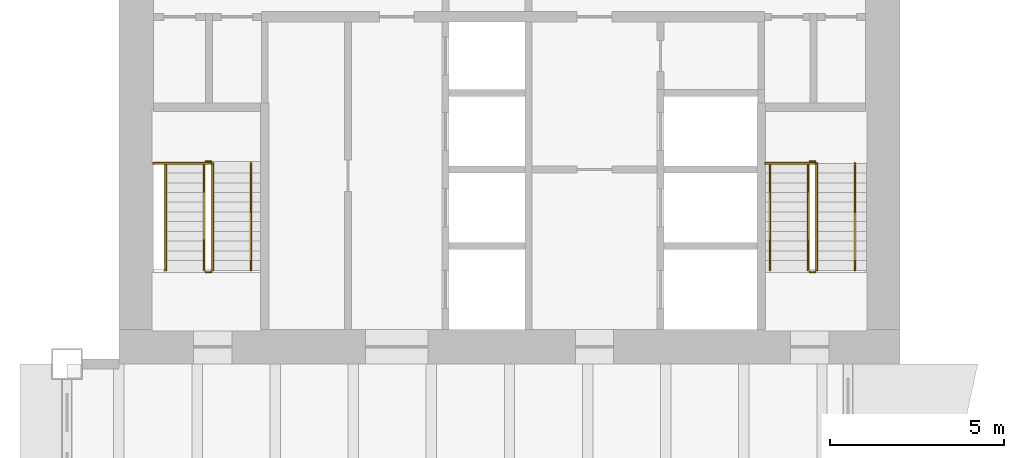
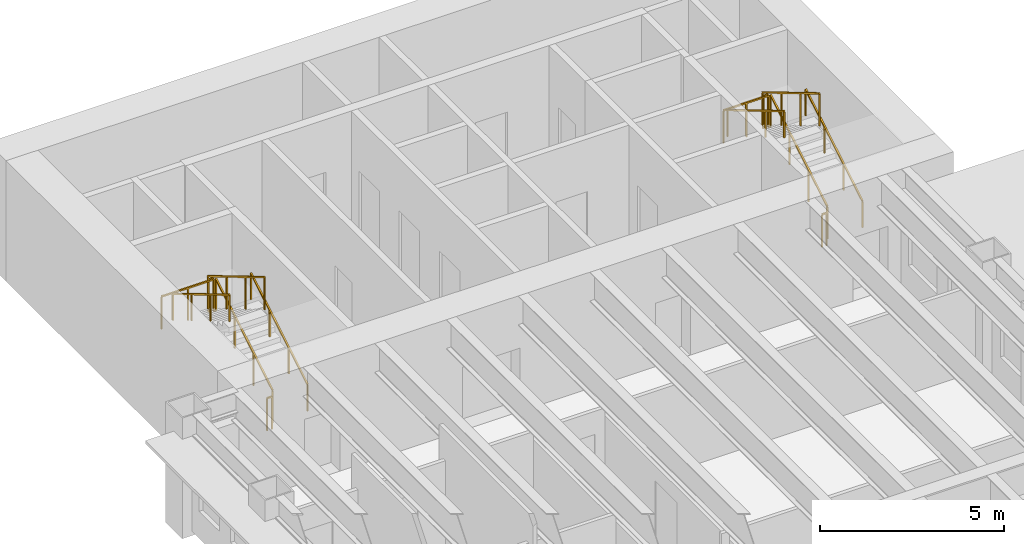
# One storey, part 16 of 16: 14 railings.
"""IFC4 building model written with IfcOpenShell, lengths in metres."""

from ifc_helpers import new_model, si_unit, direction, frame, origin, origin_2d, place, context, subcontext, project, spatial, rectangle, extrude, material, type_object, element, save


model = new_model("IFC4")

# Units and contexts
model_context = context("Model", 3, precision=1e-05, world=origin(), true_north=direction((0.0, 1.0)))
body_context = subcontext(model_context, "Body", "Model", "MODEL_VIEW")
ifc_project = project(units=[si_unit("LENGTHUNIT", "METRE"), si_unit("AREAUNIT", "SQUARE_METRE"), si_unit("VOLUMEUNIT", "CUBIC_METRE"), si_unit("PLANEANGLEUNIT", "RADIAN"), si_unit("MASSUNIT", "GRAM", prefix="KILO")], contexts=[model_context])

# Site, building, storey
site_placement = place(None, origin())
site = spatial("IfcSite", under=ifc_project, at=site_placement, CompositionType="ELEMENT")
building_placement = place(site_placement, origin())
building = spatial("IfcBuilding", under=site, at=building_placement, Name="Sennacour Bend Tower", CompositionType="ELEMENT")
storey_placement = place(building_placement, frame((0.0, 0.0, 175.0)))
storey = spatial("IfcBuildingStorey", under=building, at=storey_placement, Name="L40", CompositionType="ELEMENT", Elevation=175.0)

# Railings
ifc_material = material(Name="Stainless steel", Category="steel")
railing_type_1 = type_object("IfcRailingType", Name="RL-GUARD-1100", PredefinedType="GUARDRAIL", material=ifc_material)
railing_1_placement = place(storey_placement, frame((2.699951171875, 38.699951171875, 0.166748046875)))
element("IfcRailing", 1, at=railing_1_placement, inside=storey, type_object=railing_type_1, Name="L40 SB1 stair guard 1", PredefinedType="GUARDRAIL", context=body_context, shape_type="SweptSolid", body=[
    extrude(rectangle(XDim=0.048095703125, YDim=0.048095703125, at=origin_2d()), frame((0.0, 0.0, 1.076171875), z_axis=(0.0, 0.859308565015, 0.511457515432), x_axis=(-1.0, 0.0, 0.0)), (0.0, 0.0, 1.0), 3.58447265625),
    extrude(rectangle(XDim=0.0419921875, YDim=0.0419921875, at=origin_2d()), origin(), (0.0, 0.0, 1.0), 1.052001953125),
    extrude(rectangle(XDim=0.0419921875, YDim=0.0419921875, at=origin_2d()), frame((0.0, 1.026611328125, 0.611083984375)), (0.0, 0.0, 1.0), 1.052001953125),
    extrude(rectangle(XDim=0.0419921875, YDim=0.0419921875, at=origin_2d()), frame((0.0, 2.053466796875, 1.22216796875)), (0.0, 0.0, 1.0), 1.052001953125),
    extrude(rectangle(XDim=0.0419921875, YDim=0.0419921875, at=origin_2d()), frame((0.0, 3.080078125, 1.833251953125)), (0.0, 0.0, 1.0), 1.052001953125),
])
railing_2_placement = place(storey_placement, frame((2.64990234375, 41.830078125, 2.0)))
element("IfcRailing", 2, at=railing_2_placement, inside=storey, type_object=railing_type_1, Name="L40 SB1 stair guard 2", PredefinedType="GUARDRAIL", context=body_context, shape_type="SweptSolid", body=[
    extrude(rectangle(XDim=0.048095703125, YDim=0.048095703125, at=origin_2d()), frame((0.0, 0.0, 1.076171875), z_axis=(-1.0, 0.0, 0.0), x_axis=(0.0, -1.0, 0.0)), (0.0, 0.0, 1.0), 0.14990234375),
    extrude(rectangle(XDim=0.0419921875, YDim=0.0419921875, at=origin_2d()), origin(), (0.0, 0.0, 1.0), 1.052001953125),
    extrude(rectangle(XDim=0.0419921875, YDim=0.0419921875, at=origin_2d()), frame((-0.14990234375, 0.0, 0.0)), (0.0, 0.0, 1.0), 1.052001953125),
])
railing_3_placement = place(storey_placement, frame((2.449951171875, 41.780029296875, 2.166748046875)))
element("IfcRailing", 3, at=railing_3_placement, inside=storey, type_object=railing_type_1, Name="L40 SB1 stair guard 4", PredefinedType="GUARDRAIL", context=body_context, shape_type="SweptSolid", body=[
    extrude(rectangle(XDim=0.048095703125, YDim=0.048095703125, at=origin_2d()), frame((0.0, 0.0, 1.076171875), z_axis=(0.0, -0.859308565015, 0.511457515432), x_axis=(1.0, 0.0, 0.0)), (0.0, 0.0, 1.0), 3.58447265625),
    extrude(rectangle(XDim=0.0419921875, YDim=0.0419921875, at=origin_2d()), origin(), (0.0, 0.0, 1.0), 1.052001953125),
    extrude(rectangle(XDim=0.0419921875, YDim=0.0419921875, at=origin_2d()), frame((0.0, -1.026611328125, 0.611083984375)), (0.0, 0.0, 1.0), 1.052001953125),
    extrude(rectangle(XDim=0.0419921875, YDim=0.0419921875, at=origin_2d()), frame((0.0, -2.053466796875, 1.22216796875)), (0.0, 0.0, 1.0), 1.052001953125),
    extrude(rectangle(XDim=0.0419921875, YDim=0.0419921875, at=origin_2d()), frame((0.0, -3.080078125, 1.833251953125)), (0.0, 0.0, 1.0), 1.052001953125),
])
railing_4_placement = place(storey_placement, frame((2.64990234375, 38.64990234375, 0.0)))
element("IfcRailing", 4, at=railing_4_placement, inside=storey, type_object=railing_type_1, Name="L40 SB1 stair guard 5", PredefinedType="GUARDRAIL", context=body_context, shape_type="SweptSolid", body=[
    extrude(rectangle(XDim=0.048095703125, YDim=0.048095703125, at=origin_2d()), frame((0.0, 0.0, 1.076171875), z_axis=(-1.0, 0.0, 0.0), x_axis=(0.0, -1.0, 0.0)), (0.0, 0.0, 1.0), 0.14990234375),
    extrude(rectangle(XDim=0.0419921875, YDim=0.0419921875, at=origin_2d()), origin(), (0.0, 0.0, 1.0), 1.052001953125),
    extrude(rectangle(XDim=0.0419921875, YDim=0.0419921875, at=origin_2d()), frame((-0.14990234375, 0.0, 0.0)), (0.0, 0.0, 1.0), 1.052001953125),
])
railing_5_placement = place(storey_placement, frame((2.64990234375, 41.780029296875, 2.0)))
element("IfcRailing", 5, at=railing_5_placement, inside=storey, type_object=railing_type_1, Name="L40 SB1 landing edge guard 65", PredefinedType="GUARDRAIL", context=body_context, shape_type="SweptSolid", body=[
    extrude(rectangle(XDim=0.048095703125, YDim=0.048095703125, at=origin_2d()), frame((0.0, 0.0, 1.076171875), z_axis=(-1.0, 0.0, 0.0), x_axis=(0.0, -1.0, 0.0)), (0.0, 0.0, 1.0), 1.64990234375),
    extrude(rectangle(XDim=0.0419921875, YDim=0.0419921875, at=origin_2d()), origin(), (0.0, 0.0, 1.0), 1.052001953125),
    extrude(rectangle(XDim=0.0419921875, YDim=0.0419921875, at=origin_2d()), frame((-0.824951171875, 0.0, 0.0)), (0.0, 0.0, 1.0), 1.052001953125),
    extrude(rectangle(XDim=0.0419921875, YDim=0.0419921875, at=origin_2d()), frame((-1.64990234375, 0.0, 0.0)), (0.0, 0.0, 1.0), 1.052001953125),
])
railing_6_placement = place(storey_placement, frame((20.10009765625, 38.699951171875, 0.166748046875)))
element("IfcRailing", 6, at=railing_6_placement, inside=storey, type_object=railing_type_1, Name="L40 SB2 stair guard 1", PredefinedType="GUARDRAIL", context=body_context, shape_type="SweptSolid", body=[
    extrude(rectangle(XDim=0.048095703125, YDim=0.048095703125, at=origin_2d()), frame((0.0, 0.0, 1.076171875), z_axis=(0.0, 0.859308565015, 0.511457515432), x_axis=(-1.0, 0.0, 0.0)), (0.0, 0.0, 1.0), 3.58447265625),
    extrude(rectangle(XDim=0.0419921875, YDim=0.0419921875, at=origin_2d()), origin(), (0.0, 0.0, 1.0), 1.052001953125),
    extrude(rectangle(XDim=0.0419921875, YDim=0.0419921875, at=origin_2d()), frame((0.0, 1.026611328125, 0.611083984375)), (0.0, 0.0, 1.0), 1.052001953125),
    extrude(rectangle(XDim=0.0419921875, YDim=0.0419921875, at=origin_2d()), frame((0.0, 2.053466796875, 1.22216796875)), (0.0, 0.0, 1.0), 1.052001953125),
    extrude(rectangle(XDim=0.0419921875, YDim=0.0419921875, at=origin_2d()), frame((0.0, 3.080078125, 1.833251953125)), (0.0, 0.0, 1.0), 1.052001953125),
])
railing_7_placement = place(storey_placement, frame((20.050048828125, 41.830078125, 2.0)))
element("IfcRailing", 7, at=railing_7_placement, inside=storey, type_object=railing_type_1, Name="L40 SB2 stair guard 2", PredefinedType="GUARDRAIL", context=body_context, shape_type="SweptSolid", body=[
    extrude(rectangle(XDim=0.048095703125, YDim=0.048095703125, at=origin_2d()), frame((0.0, 0.0, 1.076171875), z_axis=(-1.0, 0.0, 0.0), x_axis=(0.0, -1.0, 0.0)), (0.0, 0.0, 1.0), 0.150146484375),
    extrude(rectangle(XDim=0.0419921875, YDim=0.0419921875, at=origin_2d()), origin(), (0.0, 0.0, 1.0), 1.052001953125),
    extrude(rectangle(XDim=0.0419921875, YDim=0.0419921875, at=origin_2d()), frame((-0.150146484375, 0.0, 0.0)), (0.0, 0.0, 1.0), 1.052001953125),
])
railing_8_placement = place(storey_placement, frame((19.85009765625, 41.780029296875, 2.166748046875)))
element("IfcRailing", 8, at=railing_8_placement, inside=storey, type_object=railing_type_1, Name="L40 SB2 stair guard 4", PredefinedType="GUARDRAIL", context=body_context, shape_type="SweptSolid", body=[
    extrude(rectangle(XDim=0.048095703125, YDim=0.048095703125, at=origin_2d()), frame((0.0, 0.0, 1.076171875), z_axis=(0.0, -0.859308565015, 0.511457515432), x_axis=(1.0, 0.0, 0.0)), (0.0, 0.0, 1.0), 3.58447265625),
    extrude(rectangle(XDim=0.0419921875, YDim=0.0419921875, at=origin_2d()), origin(), (0.0, 0.0, 1.0), 1.052001953125),
    extrude(rectangle(XDim=0.0419921875, YDim=0.0419921875, at=origin_2d()), frame((0.0, -1.026611328125, 0.611083984375)), (0.0, 0.0, 1.0), 1.052001953125),
    extrude(rectangle(XDim=0.0419921875, YDim=0.0419921875, at=origin_2d()), frame((0.0, -2.053466796875, 1.22216796875)), (0.0, 0.0, 1.0), 1.052001953125),
    extrude(rectangle(XDim=0.0419921875, YDim=0.0419921875, at=origin_2d()), frame((0.0, -3.080078125, 1.833251953125)), (0.0, 0.0, 1.0), 1.052001953125),
])
railing_9_placement = place(storey_placement, frame((20.050048828125, 38.64990234375, 0.0)))
element("IfcRailing", 9, at=railing_9_placement, inside=storey, type_object=railing_type_1, Name="L40 SB2 stair guard 5", PredefinedType="GUARDRAIL", context=body_context, shape_type="SweptSolid", body=[
    extrude(rectangle(XDim=0.048095703125, YDim=0.048095703125, at=origin_2d()), frame((0.0, 0.0, 1.076171875), z_axis=(-1.0, 0.0, 0.0), x_axis=(0.0, -1.0, 0.0)), (0.0, 0.0, 1.0), 0.150146484375),
    extrude(rectangle(XDim=0.0419921875, YDim=0.0419921875, at=origin_2d()), origin(), (0.0, 0.0, 1.0), 1.052001953125),
    extrude(rectangle(XDim=0.0419921875, YDim=0.0419921875, at=origin_2d()), frame((-0.150146484375, 0.0, 0.0)), (0.0, 0.0, 1.0), 1.052001953125),
])
railing_10_placement = place(storey_placement, frame((20.050048828125, 41.780029296875, 2.0)))
element("IfcRailing", 10, at=railing_10_placement, inside=storey, type_object=railing_type_1, Name="L40 SB2 landing edge guard 55", PredefinedType="GUARDRAIL", context=body_context, shape_type="SweptSolid", body=[
    extrude(rectangle(XDim=0.048095703125, YDim=0.048095703125, at=origin_2d()), frame((0.0, 0.0, 1.076171875), z_axis=(-1.0, 0.0, 0.0), x_axis=(0.0, -1.0, 0.0)), (0.0, 0.0, 1.0), 1.425048828125),
    extrude(rectangle(XDim=0.0419921875, YDim=0.0419921875, at=origin_2d()), origin(), (0.0, 0.0, 1.0), 1.052001953125),
    extrude(rectangle(XDim=0.0419921875, YDim=0.0419921875, at=origin_2d()), frame((-0.71240234375, 0.0, 0.0)), (0.0, 0.0, 1.0), 1.052001953125),
    extrude(rectangle(XDim=0.0419921875, YDim=0.0419921875, at=origin_2d()), frame((-1.425048828125, 0.0, 0.0)), (0.0, 0.0, 1.0), 1.052001953125),
])
railing_type_2 = type_object("IfcRailingType", Name="RL-HANDRAIL-900", PredefinedType="HANDRAIL", material=ifc_material)
railing_11_placement = place(storey_placement, frame((3.800048828125, 38.699951171875, 0.166748046875)))
element("IfcRailing", 11, at=railing_11_placement, inside=storey, type_object=railing_type_2, Name="L40 SB1 stair handrail 1", PredefinedType="HANDRAIL", context=body_context, shape_type="SweptSolid", body=[
    extrude(rectangle(XDim=0.048095703125, YDim=0.048095703125, at=origin_2d()), frame((0.0, 0.0, 0.8759765625), z_axis=(0.0, 0.859308565015, 0.511457515432), x_axis=(-1.0, 0.0, 0.0)), (0.0, 0.0, 1.0), 3.58447265625),
    extrude(rectangle(XDim=0.0419921875, YDim=0.0419921875, at=origin_2d()), origin(), (0.0, 0.0, 1.0), 0.851806640625),
    extrude(rectangle(XDim=0.0419921875, YDim=0.0419921875, at=origin_2d()), frame((0.0, 1.026611328125, 0.611083984375)), (0.0, 0.0, 1.0), 0.851806640625),
    extrude(rectangle(XDim=0.0419921875, YDim=0.0419921875, at=origin_2d()), frame((0.0, 2.053466796875, 1.22216796875)), (0.0, 0.0, 1.0), 0.851806640625),
    extrude(rectangle(XDim=0.0419921875, YDim=0.0419921875, at=origin_2d()), frame((0.0, 3.080078125, 1.833251953125)), (0.0, 0.0, 1.0), 0.851806640625),
])
railing_12_placement = place(storey_placement, frame((1.35009765625, 41.780029296875, 2.166748046875)))
element("IfcRailing", 12, at=railing_12_placement, inside=storey, type_object=railing_type_2, Name="L40 SB1 stair handrail 2", PredefinedType="HANDRAIL", context=body_context, shape_type="SweptSolid", body=[
    extrude(rectangle(XDim=0.048095703125, YDim=0.048095703125, at=origin_2d()), frame((0.0, 0.0, 0.8759765625), z_axis=(0.0, -0.859308565015, 0.511457515432), x_axis=(1.0, 0.0, 0.0)), (0.0, 0.0, 1.0), 3.58447265625),
    extrude(rectangle(XDim=0.0419921875, YDim=0.0419921875, at=origin_2d()), origin(), (0.0, 0.0, 1.0), 0.851806640625),
    extrude(rectangle(XDim=0.0419921875, YDim=0.0419921875, at=origin_2d()), frame((0.0, -1.026611328125, 0.611083984375)), (0.0, 0.0, 1.0), 0.851806640625),
    extrude(rectangle(XDim=0.0419921875, YDim=0.0419921875, at=origin_2d()), frame((0.0, -2.053466796875, 1.22216796875)), (0.0, 0.0, 1.0), 0.851806640625),
    extrude(rectangle(XDim=0.0419921875, YDim=0.0419921875, at=origin_2d()), frame((0.0, -3.080078125, 1.833251953125)), (0.0, 0.0, 1.0), 0.851806640625),
])
railing_13_placement = place(storey_placement, frame((21.199951171875, 38.699951171875, 0.166748046875)))
element("IfcRailing", 13, at=railing_13_placement, inside=storey, type_object=railing_type_2, Name="L40 SB2 stair handrail 1", PredefinedType="HANDRAIL", context=body_context, shape_type="SweptSolid", body=[
    extrude(rectangle(XDim=0.048095703125, YDim=0.048095703125, at=origin_2d()), frame((0.0, 0.0, 0.8759765625), z_axis=(0.0, 0.859308565015, 0.511457515432), x_axis=(-1.0, 0.0, 0.0)), (0.0, 0.0, 1.0), 3.58447265625),
    extrude(rectangle(XDim=0.0419921875, YDim=0.0419921875, at=origin_2d()), origin(), (0.0, 0.0, 1.0), 0.851806640625),
    extrude(rectangle(XDim=0.0419921875, YDim=0.0419921875, at=origin_2d()), frame((0.0, 1.026611328125, 0.611083984375)), (0.0, 0.0, 1.0), 0.851806640625),
    extrude(rectangle(XDim=0.0419921875, YDim=0.0419921875, at=origin_2d()), frame((0.0, 2.053466796875, 1.22216796875)), (0.0, 0.0, 1.0), 0.851806640625),
    extrude(rectangle(XDim=0.0419921875, YDim=0.0419921875, at=origin_2d()), frame((0.0, 3.080078125, 1.833251953125)), (0.0, 0.0, 1.0), 0.851806640625),
])
railing_14_placement = place(storey_placement, frame((18.75, 41.780029296875, 2.166748046875)))
element("IfcRailing", 14, at=railing_14_placement, inside=storey, type_object=railing_type_2, Name="L40 SB2 stair handrail 2", PredefinedType="HANDRAIL", context=body_context, shape_type="SweptSolid", body=[
    extrude(rectangle(XDim=0.048095703125, YDim=0.048095703125, at=origin_2d()), frame((0.0, 0.0, 0.8759765625), z_axis=(0.0, -0.859308565015, 0.511457515432), x_axis=(1.0, 0.0, 0.0)), (0.0, 0.0, 1.0), 3.58447265625),
    extrude(rectangle(XDim=0.0419921875, YDim=0.0419921875, at=origin_2d()), origin(), (0.0, 0.0, 1.0), 0.851806640625),
    extrude(rectangle(XDim=0.0419921875, YDim=0.0419921875, at=origin_2d()), frame((0.0, -1.026611328125, 0.611083984375)), (0.0, 0.0, 1.0), 0.851806640625),
    extrude(rectangle(XDim=0.0419921875, YDim=0.0419921875, at=origin_2d()), frame((0.0, -2.053466796875, 1.22216796875)), (0.0, 0.0, 1.0), 0.851806640625),
    extrude(rectangle(XDim=0.0419921875, YDim=0.0419921875, at=origin_2d()), frame((0.0, -3.080078125, 1.833251953125)), (0.0, 0.0, 1.0), 0.851806640625),
])

save(model, "model.ifc")
